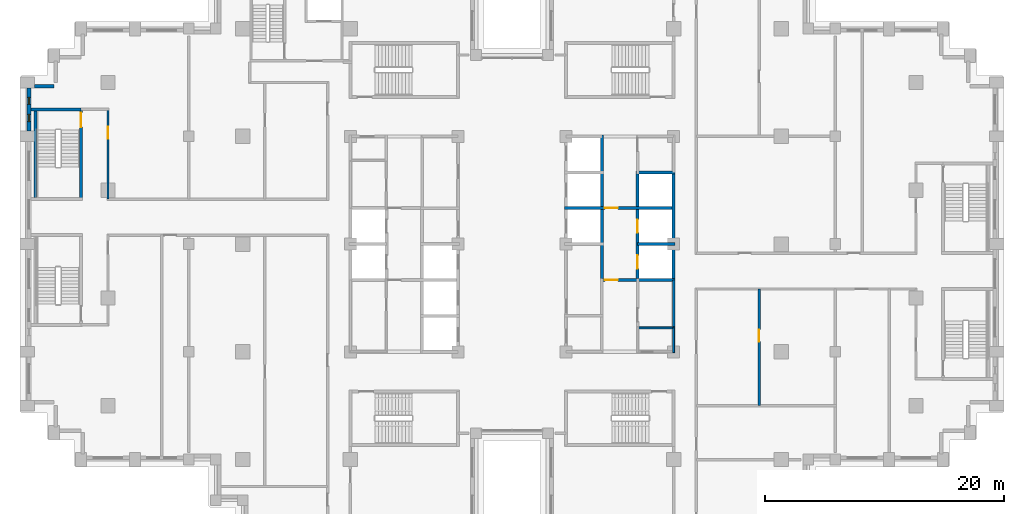
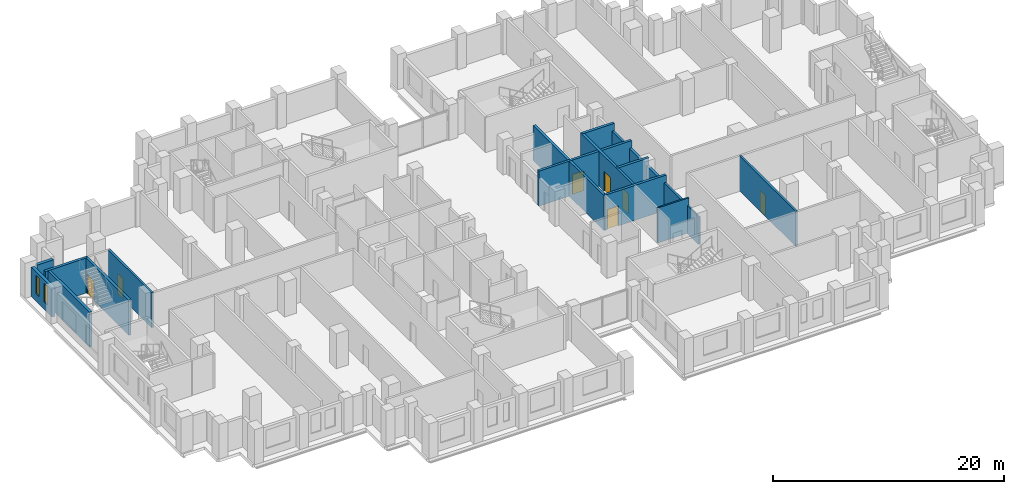
# One storey, part 9 of 16: 17 walls, 7 doors, 2 windows, 9 openings.
"""IFC4 building model written with IfcOpenShell, lengths in metres."""

from ifc_helpers import new_model, si_unit, direction, frame, frame_2d, origin, place, context, subcontext, project, spatial, rectangle, extrude, material, layer, layer_set, type_object, element, fill, save


model = new_model("IFC4")

# Units and contexts
model_context = context("Model", 3, precision=1e-05, world=origin(), true_north=direction((0.0, 1.0)))
body_context = subcontext(model_context, "Body", "Model", "MODEL_VIEW")
ifc_project = project(units=[si_unit("LENGTHUNIT", "METRE"), si_unit("AREAUNIT", "SQUARE_METRE"), si_unit("VOLUMEUNIT", "CUBIC_METRE"), si_unit("PLANEANGLEUNIT", "RADIAN"), si_unit("MASSUNIT", "GRAM", prefix="KILO")], contexts=[model_context])

# Site, building, storey
site_placement = place(None, origin())
site = spatial("IfcSite", under=ifc_project, at=site_placement, CompositionType="ELEMENT")
building_placement = place(site_placement, origin())
building = spatial("IfcBuilding", under=site, at=building_placement, Name="Corbelhall Arena Tower", CompositionType="ELEMENT")
storey_placement = place(building_placement, frame((0.0, 0.0, 108.0)))
storey = spatial("IfcBuildingStorey", under=building, at=storey_placement, Name="L19", CompositionType="ELEMENT", Elevation=108.0)

# Wall
ifc_material_1 = material(Name="Precast concrete C40/50 with granite facing", Category="masonry")
ifc_layer_1 = layer(ifc_material_1, 0.300048828125)
ifc_layer_set_1 = layer_set([ifc_layer_1], Name="EV-IW1 Infill panel 300")
wall_type_1 = type_object("IfcWallType", Name="EV-IW1 Infill panel 300", PredefinedType="SOLIDWALL", material=ifc_layer_set_1)
wall_1_placement = place(storey_placement, frame((-39.89990234375, 13.199951171875, 0.0), z_axis=(0.0, 0.0, 1.0), x_axis=(1.0, 0.0, 0.0)))
element("IfcWall", 1, at=wall_1_placement, inside=storey, type_object=wall_type_1, Name="Infill panel IW1", PredefinedType="SOLIDWALL", context=body_context, shape_type="SweptSolid", body=[
    extrude(rectangle(XDim=1.64990234375, YDim=0.300048828125, at=frame_2d((0.824951171875, 0.0))), origin(), (0.0, 0.0, 1.0), 3.10009765625),
])

# Wall, openings, windows
wall_2_placement = place(storey_placement, frame((-40.35009765625, 13.050048828125, 0.0), z_axis=(0.0, 0.0, 1.0), x_axis=(0.0, -1.0, 0.0)))
wall_2 = element("IfcWall", 2, at=wall_2_placement, inside=storey, type_object=wall_type_1, Name="Infill panel IW1", PredefinedType="SOLIDWALL", context=body_context, shape_type="SweptSolid", body=[
    extrude(rectangle(XDim=3.60009765625, YDim=0.300048828125, at=frame_2d((1.800048828125, 0.0))), origin(), (0.0, 0.0, 1.0), 3.10009765625),
])
opening_1_placement = place(wall_2_placement, frame((0.78759765625, 0.0, 0.800048828125)))
opening_1 = element("IfcOpeningElement", 3, at=opening_1_placement, cuts=wall_2, Name="Opening WN5", PredefinedType="OPENING", context=body_context, shape_type="SweptSolid", body=[
    extrude(rectangle(XDim=0.60009765625, YDim=1.949951171875, at=frame_2d((0.300048828125, 0.97509765625))), frame((0.0, 0.14990234375, 0.0), z_axis=(0.0, -1.0, 0.0), x_axis=(1.0, 0.0, 0.0)), (0.0, 0.0, 1.0), 0.300048828125),
])
opening_2_placement = place(wall_2_placement, frame((2.21240234375, 0.0, 0.800048828125)))
opening_2 = element("IfcOpeningElement", 4, at=opening_2_placement, cuts=wall_2, Name="Opening WN5", PredefinedType="OPENING", context=body_context, shape_type="SweptSolid", body=[
    extrude(rectangle(XDim=0.60009765625, YDim=1.949951171875, at=frame_2d((0.300048828125, 0.97509765625))), frame((0.0, 0.14990234375, 0.0), z_axis=(0.0, -1.0, 0.0), x_axis=(1.0, 0.0, 0.0)), (0.0, 0.0, 1.0), 0.300048828125),
])
ifc_material_2 = material(Name="Aluminium black anodised", Category="aluminium")
window_type = type_object("IfcWindowType", Name="EV-WN5 Office window 600", PartitioningType="SINGLE_PANEL", PredefinedType="WINDOW", material=ifc_material_2)
window_1_placement = place(opening_1_placement, origin())
window_1 = element("IfcWindow", 5, at=window_1_placement, inside=storey, type_object=window_type, Name="Window WN5", OverallHeight=1.949951171875, OverallWidth=0.60009765625, PartitioningType="SINGLE_PANEL", PredefinedType="WINDOW", context=body_context, shape_type="SweptSolid", body=[
    extrude(rectangle(XDim=0.60009765625, YDim=1.949951171875, at=frame_2d((0.300048828125, 0.97509765625))), frame((0.0, 0.030029296875, 0.0), z_axis=(0.0, -1.0, 0.0), x_axis=(1.0, 0.0, 0.0)), (0.0, 0.0, 1.0), 0.06005859375),
])
fill(opening_1, window_1)
window_2_placement = place(opening_2_placement, origin())
window_2 = element("IfcWindow", 6, at=window_2_placement, inside=storey, type_object=window_type, Name="Window WN5", OverallHeight=1.949951171875, OverallWidth=0.60009765625, PartitioningType="SINGLE_PANEL", PredefinedType="WINDOW", context=body_context, shape_type="SweptSolid", body=[
    extrude(rectangle(XDim=0.60009765625, YDim=1.949951171875, at=frame_2d((0.300048828125, 0.97509765625))), frame((0.0, 0.030029296875, 0.0), z_axis=(0.0, -1.0, 0.0), x_axis=(1.0, 0.0, 0.0)), (0.0, 0.0, 1.0), 0.06005859375),
])
fill(opening_2, window_2)

# Wall, opening, door
ifc_material_3 = material(Name="Gypsum board on steel stud, acoustic", Category="steel")
ifc_layer_2 = layer(ifc_material_3, 0.199951171875)
ifc_layer_set_2 = layer_set([ifc_layer_2], Name="IN-W-DM200")
wall_type_2 = type_object("IfcWallType", Name="IN-W-DM200", PredefinedType="PARTITIONING", material=ifc_layer_set_2)
wall_3_placement = place(storey_placement, frame((-33.75, 11.25, 0.0), z_axis=(0.0, 0.0, 1.0), x_axis=(0.0, -1.0, 0.0)))
wall_3 = element("IfcWall", 7, at=wall_3_placement, inside=storey, type_object=wall_type_2, Name="Partition 005", PredefinedType="PARTITIONING", context=body_context, shape_type="SweptSolid", body=[
    extrude(rectangle(XDim=7.5, YDim=0.199951171875, at=frame_2d((3.75, 0.0))), origin(), (0.0, 0.0, 1.0), 3.699951171875),
])
opening_3_placement = place(wall_3_placement, frame((1.449951171875, 0.0, 0.0)))
opening_3 = element("IfcOpeningElement", 8, at=opening_3_placement, cuts=wall_3, Name="Opening 04039", PredefinedType="OPENING", context=body_context, shape_type="SweptSolid", body=[
    extrude(rectangle(XDim=1.0, YDim=2.10009765625, at=frame_2d((0.5, 1.050048828125))), frame((0.0, 0.10009765625, 0.0), z_axis=(0.0, -1.0, 0.0), x_axis=(1.0, 0.0, 0.0)), (0.0, 0.0, 1.0), 0.199951171875),
])
ifc_material_4 = material(Name="Steel door set", Category="steel")
door_type_1 = type_object("IfcDoorType", Name="IN-D-SW100", OperationType="NOTDEFINED", PredefinedType="DOOR", material=ifc_material_4)
door_1_placement = place(opening_3_placement, origin())
door_1 = element("IfcDoor", 9, at=door_1_placement, inside=storey, type_object=door_type_1, Name="Door 039", OperationType="SINGLE_SWING_RIGHT", OverallHeight=2.10009765625, OverallWidth=1.0, PredefinedType="DOOR", context=body_context, shape_type="SweptSolid", body=[
    extrude(rectangle(XDim=1.0, YDim=2.10009765625, at=frame_2d((0.5, 1.050048828125))), frame((0.0, 0.02490234375, 0.0), z_axis=(0.0, -1.0, 0.0), x_axis=(1.0, 0.0, 0.0)), (0.0, 0.0, 1.0), 0.050048828125),
])
fill(opening_3, door_1)

wall_4_placement = place(storey_placement, frame((20.64990234375, -3.75, 0.0), z_axis=(0.0, 0.0, 1.0), x_axis=(0.0, -1.0, 0.0)))
wall_4 = element("IfcWall", 10, at=wall_4_placement, inside=storey, type_object=wall_type_2, Name="Partition 033", PredefinedType="PARTITIONING", context=body_context, shape_type="SweptSolid", body=[
    extrude(rectangle(XDim=9.75, YDim=0.199951171875, at=frame_2d((4.875, 0.0))), origin(), (0.0, 0.0, 1.0), 3.699951171875),
])
opening_4_placement = place(wall_4_placement, frame((3.39990234375, 0.0, 0.0)))
opening_4 = element("IfcOpeningElement", 11, at=opening_4_placement, cuts=wall_4, Name="Opening 04038", PredefinedType="OPENING", context=body_context, shape_type="SweptSolid", body=[
    extrude(rectangle(XDim=1.0, YDim=2.10009765625, at=frame_2d((0.5, 1.050048828125))), frame((0.0, 0.10009765625, 0.0), z_axis=(0.0, -1.0, 0.0), x_axis=(1.0, 0.0, 0.0)), (0.0, 0.0, 1.0), 0.199951171875),
])
door_2_placement = place(opening_4_placement, origin())
door_2 = element("IfcDoor", 12, at=door_2_placement, inside=storey, type_object=door_type_1, Name="Door 038", OperationType="SINGLE_SWING_LEFT", OverallHeight=2.10009765625, OverallWidth=1.0, PredefinedType="DOOR", context=body_context, shape_type="SweptSolid", body=[
    extrude(rectangle(XDim=1.0, YDim=2.10009765625, at=frame_2d((0.5, 1.050048828125))), frame((0.0, 0.02490234375, 0.0), z_axis=(0.0, -1.0, 0.0), x_axis=(1.0, 0.0, 0.0)), (0.0, 0.0, 1.0), 0.050048828125),
])
fill(opening_4, door_2)

# Wall
ifc_material_5 = material(Name="Concrete block wall", Category="concrete")
ifc_layer_3 = layer(ifc_material_5, 0.199951171875)
ifc_layer_set_3 = layer_set([ifc_layer_3], Name="IN-W-RS200 under beam 762 mm")
wall_type_3 = type_object("IfcWallType", Name="IN-W-RS200 under beam 762 mm", PredefinedType="SOLIDWALL", material=ifc_layer_set_3)
wall_5_placement = place(storey_placement, frame((13.5, -3.0, 0.0), z_axis=(0.0, 0.0, 1.0), x_axis=(0.0, -1.0, 0.0)))
element("IfcWall", 13, at=wall_5_placement, inside=storey, type_object=wall_type_3, Name="Partition 058", PredefinedType="SOLIDWALL", context=body_context, shape_type="SweptSolid", body=[
    extrude(rectangle(XDim=4.0, YDim=0.199951171875, at=frame_2d((2.0, 0.0))), origin(), (0.0, 0.0, 1.0), 2.93798828125),
])

# Wall, opening, door
ifc_material_6 = material(Name="Concrete C40/50", Category="concrete")
ifc_layer_4 = layer(ifc_material_6, 0.25)
ifc_layer_set_4 = layer_set([ifc_layer_4], Name="IN-W-SH250")
wall_type_4 = type_object("IfcWallType", Name="IN-W-SH250", PredefinedType="SOLIDWALL", material=ifc_layer_set_4)
wall_6_placement = place(storey_placement, frame((4.375, 3.0, 0.0), z_axis=(0.0, 0.0, 1.0), x_axis=(1.0, 0.0, 0.0)))
wall_6 = element("IfcWall", 14, at=wall_6_placement, inside=storey, type_object=wall_type_4, Name="Shaft wall 071", PredefinedType="SOLIDWALL", context=body_context, shape_type="SweptSolid", body=[
    extrude(rectangle(XDim=9.25, YDim=0.25, at=frame_2d((4.625, 0.0))), origin(), (0.0, 0.0, 1.0), 3.699951171875),
])
opening_5_placement = place(wall_6_placement, frame((3.375, 0.0, 0.0)))
opening_5 = element("IfcOpeningElement", 15, at=opening_5_placement, cuts=wall_6, Name="Opening 04011", PredefinedType="OPENING", context=body_context, shape_type="SweptSolid", body=[
    extrude(rectangle(XDim=1.10009765625, YDim=2.10009765625, at=frame_2d((0.550048828125, 1.050048828125))), frame((0.0, 0.125, 0.0), z_axis=(0.0, -1.0, 0.0), x_axis=(1.0, 0.0, 0.0)), (0.0, 0.0, 1.0), 0.25),
])
door_type_2 = type_object("IfcDoorType", Name="IN-D-FD110", OperationType="NOTDEFINED", PredefinedType="DOOR", material=ifc_material_4)
door_3_placement = place(opening_5_placement, origin())
door_3 = element("IfcDoor", 16, at=door_3_placement, inside=storey, type_object=door_type_2, Name="Door 011", OperationType="SINGLE_SWING_RIGHT", OverallHeight=2.10009765625, OverallWidth=1.10009765625, PredefinedType="DOOR", context=body_context, shape_type="SweptSolid", body=[
    extrude(rectangle(XDim=1.10009765625, YDim=2.10009765625, at=frame_2d((0.550048828125, 1.050048828125))), frame((0.0, 0.02490234375, 0.0), z_axis=(0.0, -1.0, 0.0), x_axis=(1.0, 0.0, 0.0)), (0.0, 0.0, 1.0), 0.050048828125),
])
fill(opening_5, door_3)

wall_7_placement = place(storey_placement, frame((7.5, -3.0, 0.0), z_axis=(0.0, 0.0, 1.0), x_axis=(1.0, 0.0, 0.0)))
wall_7 = element("IfcWall", 17, at=wall_7_placement, inside=storey, type_object=wall_type_4, Name="Shaft wall 075", PredefinedType="SOLIDWALL", context=body_context, shape_type="SweptSolid", body=[
    extrude(rectangle(XDim=6.125, YDim=0.25, at=frame_2d((3.0625, 0.0))), origin(), (0.0, 0.0, 1.0), 3.699951171875),
])
opening_6_placement = place(wall_7_placement, frame((0.25, 0.0, 0.0)))
opening_6 = element("IfcOpeningElement", 18, at=opening_6_placement, cuts=wall_7, Name="Opening 04010", PredefinedType="OPENING", context=body_context, shape_type="SweptSolid", body=[
    extrude(rectangle(XDim=1.10009765625, YDim=2.10009765625, at=frame_2d((0.550048828125, 1.050048828125))), frame((0.0, 0.125, 0.0), z_axis=(0.0, -1.0, 0.0), x_axis=(1.0, 0.0, 0.0)), (0.0, 0.0, 1.0), 0.25),
])
door_4_placement = place(opening_6_placement, origin())
door_4 = element("IfcDoor", 19, at=door_4_placement, inside=storey, type_object=door_type_2, Name="Door 010", OperationType="SINGLE_SWING_LEFT", OverallHeight=2.10009765625, OverallWidth=1.10009765625, PredefinedType="DOOR", context=body_context, shape_type="SweptSolid", body=[
    extrude(rectangle(XDim=1.10009765625, YDim=2.10009765625, at=frame_2d((0.550048828125, 1.050048828125))), frame((0.0, 0.02490234375, 0.0), z_axis=(0.0, -1.0, 0.0), x_axis=(1.0, 0.0, 0.0)), (0.0, 0.0, 1.0), 0.050048828125),
])
fill(opening_6, door_4)

# Walls
wall_8_placement = place(storey_placement, frame((7.5, 9.125, 0.0), z_axis=(0.0, 0.0, 1.0), x_axis=(0.0, -1.0, 0.0)))
element("IfcWall", 20, at=wall_8_placement, inside=storey, type_object=wall_type_4, Name="Shaft wall 076", PredefinedType="SOLIDWALL", context=body_context, shape_type="SweptSolid", body=[
    extrude(rectangle(XDim=12.25, YDim=0.25, at=frame_2d((6.125, 0.0))), origin(), (0.0, 0.0, 1.0), 3.699951171875),
])
wall_9_placement = place(storey_placement, frame((10.5, 0.0, 0.0), z_axis=(0.0, 0.0, 1.0), x_axis=(1.0, 0.0, 0.0)))
element("IfcWall", 21, at=wall_9_placement, inside=storey, type_object=wall_type_4, Name="Shaft wall 077", PredefinedType="SOLIDWALL", context=body_context, shape_type="SweptSolid", body=[
    extrude(rectangle(XDim=3.125, YDim=0.25, at=frame_2d((1.5625, 0.0))), origin(), (0.0, 0.0, 1.0), 3.699951171875),
])

# Wall, openings, doors
wall_10_placement = place(storey_placement, frame((10.5, 6.125, 0.0), z_axis=(0.0, 0.0, 1.0), x_axis=(0.0, -1.0, 0.0)))
wall_10 = element("IfcWall", 22, at=wall_10_placement, inside=storey, type_object=wall_type_4, Name="Shaft wall 078", PredefinedType="SOLIDWALL", context=body_context, shape_type="SweptSolid", body=[
    extrude(rectangle(XDim=9.25, YDim=0.25, at=frame_2d((4.625, 0.0))), origin(), (0.0, 0.0, 1.0), 3.699951171875),
])
opening_7_placement = place(wall_10_placement, frame((7.074951171875, 0.0, 0.0)))
opening_7 = element("IfcOpeningElement", 23, at=opening_7_placement, cuts=wall_10, Name="Opening LD", PredefinedType="OPENING", context=body_context, shape_type="SweptSolid", body=[
    extrude(rectangle(XDim=1.10009765625, YDim=2.10009765625, at=frame_2d((0.550048828125, 1.050048828125))), frame((0.0, 0.125, 0.0), z_axis=(0.0, -1.0, 0.0), x_axis=(1.0, 0.0, 0.0)), (0.0, 0.0, 1.0), 0.25),
])
opening_8_placement = place(wall_10_placement, frame((4.074951171875, 0.0, 0.0)))
opening_8 = element("IfcOpeningElement", 24, at=opening_8_placement, cuts=wall_10, Name="Opening LD", PredefinedType="OPENING", context=body_context, shape_type="SweptSolid", body=[
    extrude(rectangle(XDim=1.10009765625, YDim=2.10009765625, at=frame_2d((0.550048828125, 1.050048828125))), frame((0.0, 0.125, 0.0), z_axis=(0.0, -1.0, 0.0), x_axis=(1.0, 0.0, 0.0)), (0.0, 0.0, 1.0), 0.25),
])
door_type_3 = type_object("IfcDoorType", Name="IN-D-LD110", OperationType="NOTDEFINED", PredefinedType="DOOR", material=ifc_material_4)
door_5_placement = place(opening_7_placement, origin())
door_5 = element("IfcDoor", 25, at=door_5_placement, inside=storey, type_object=door_type_3, Name="Landing door E3", OperationType="SLIDING_TO_LEFT", OverallHeight=2.10009765625, OverallWidth=1.10009765625, PredefinedType="DOOR", context=body_context, shape_type="SweptSolid", body=[
    extrude(rectangle(XDim=1.10009765625, YDim=2.10009765625, at=frame_2d((0.550048828125, 1.050048828125))), frame((0.0, 0.02490234375, 0.0), z_axis=(0.0, -1.0, 0.0), x_axis=(1.0, 0.0, 0.0)), (0.0, 0.0, 1.0), 0.050048828125),
])
fill(opening_7, door_5)
door_6_placement = place(opening_8_placement, origin())
door_6 = element("IfcDoor", 26, at=door_6_placement, inside=storey, type_object=door_type_3, Name="Landing door E4", OperationType="SLIDING_TO_LEFT", OverallHeight=2.10009765625, OverallWidth=1.10009765625, PredefinedType="DOOR", context=body_context, shape_type="SweptSolid", body=[
    extrude(rectangle(XDim=1.10009765625, YDim=2.10009765625, at=frame_2d((0.550048828125, 1.050048828125))), frame((0.0, 0.02490234375, 0.0), z_axis=(0.0, -1.0, 0.0), x_axis=(1.0, 0.0, 0.0)), (0.0, 0.0, 1.0), 0.050048828125),
])
fill(opening_8, door_6)

# Walls
wall_11_placement = place(storey_placement, frame((10.5, 6.0, 0.0), z_axis=(0.0, 0.0, 1.0), x_axis=(1.0, 0.0, 0.0)))
element("IfcWall", 27, at=wall_11_placement, inside=storey, type_object=wall_type_4, Name="Shaft wall 079", PredefinedType="SOLIDWALL", context=body_context, shape_type="SweptSolid", body=[
    extrude(rectangle(XDim=3.125, YDim=0.25, at=frame_2d((1.5625, 0.0))), origin(), (0.0, 0.0, 1.0), 3.699951171875),
])
ifc_layer_5 = layer(ifc_material_6, 0.25)
ifc_layer_set_5 = layer_set([ifc_layer_5], Name="IN-W-SH250 under beam 762 mm")
wall_type_5 = type_object("IfcWallType", Name="IN-W-SH250 under beam 762 mm", PredefinedType="SOLIDWALL", material=ifc_layer_set_5)
wall_12_placement = place(storey_placement, frame((13.5, 6.0, 0.0), z_axis=(0.0, 0.0, 1.0), x_axis=(0.0, -1.0, 0.0)))
element("IfcWall", 28, at=wall_12_placement, inside=storey, type_object=wall_type_5, Name="Shaft wall 080", PredefinedType="SOLIDWALL", context=body_context, shape_type="SweptSolid", body=[
    extrude(rectangle(XDim=9.0, YDim=0.25, at=frame_2d((4.5, 0.0))), origin(), (0.0, 0.0, 1.0), 2.93798828125),
])
ifc_layer_6 = layer(ifc_material_6, 0.25)
ifc_layer_set_6 = layer_set([ifc_layer_6], Name="IN-W-ST250")
wall_type_6 = type_object("IfcWallType", Name="IN-W-ST250", PredefinedType="SOLIDWALL", material=ifc_layer_set_6)
wall_13_placement = place(storey_placement, frame((-40.199951171875, 11.25, 0.0), z_axis=(0.0, 0.0, 1.0), x_axis=(1.0, 0.0, 0.0)))
element("IfcWall", 29, at=wall_13_placement, inside=storey, type_object=wall_type_6, Name="Shaft wall 082", PredefinedType="SOLIDWALL", context=body_context, shape_type="SweptSolid", body=[
    extrude(rectangle(XDim=4.199951171875, YDim=0.25, at=frame_2d((2.10009765625, 0.0))), origin(), (0.0, 0.0, 1.0), 3.699951171875),
])

# Wall, opening, door
wall_14_placement = place(storey_placement, frame((-36.0, 11.375, 0.0), z_axis=(0.0, 0.0, 1.0), x_axis=(0.0, -1.0, 0.0)))
wall_14 = element("IfcWall", 30, at=wall_14_placement, inside=storey, type_object=wall_type_6, Name="Shaft wall 085", PredefinedType="SOLIDWALL", context=body_context, shape_type="SweptSolid", body=[
    extrude(rectangle(XDim=7.625, YDim=0.25, at=frame_2d((3.8125, 0.0))), origin(), (0.0, 0.0, 1.0), 3.699951171875),
])
opening_9_placement = place(wall_14_placement, frame((0.39990234375, 0.0, 0.0)))
opening_9 = element("IfcOpeningElement", 31, at=opening_9_placement, cuts=wall_14, Name="Opening 04019", PredefinedType="OPENING", context=body_context, shape_type="SweptSolid", body=[
    extrude(rectangle(XDim=1.199951171875, YDim=2.10009765625, at=frame_2d((0.60009765625, 1.050048828125))), frame((0.0, 0.125, 0.0), z_axis=(0.0, -1.0, 0.0), x_axis=(1.0, 0.0, 0.0)), (0.0, 0.0, 1.0), 0.25),
])
door_type_4 = type_object("IfcDoorType", Name="IN-D-ST120", OperationType="NOTDEFINED", PredefinedType="DOOR", material=ifc_material_4)
door_7_placement = place(opening_9_placement, origin())
door_7 = element("IfcDoor", 32, at=door_7_placement, inside=storey, type_object=door_type_4, Name="Door 019", OperationType="SINGLE_SWING_RIGHT", OverallHeight=2.10009765625, OverallWidth=1.199951171875, PredefinedType="DOOR", context=body_context, shape_type="SweptSolid", body=[
    extrude(rectangle(XDim=1.199951171875, YDim=2.10009765625, at=frame_2d((0.60009765625, 1.050048828125))), frame((0.0, 0.02490234375, 0.0), z_axis=(0.0, -1.0, 0.0), x_axis=(1.0, 0.0, 0.0)), (0.0, 0.0, 1.0), 0.050048828125),
])
fill(opening_9, door_7)

# Walls
wall_15_placement = place(storey_placement, frame((-39.824951171875, 3.875, 0.0), z_axis=(0.0, 0.0, 1.0), x_axis=(0.0, 1.0, 0.0)))
element("IfcWall", 33, at=wall_15_placement, inside=storey, type_object=wall_type_6, Name="Shaft wall SC1 facade side", PredefinedType="SOLIDWALL", context=body_context, shape_type="SweptSolid", body=[
    extrude(rectangle(XDim=7.25, YDim=0.25, at=frame_2d((3.625, 0.0))), origin(), (0.0, 0.0, 1.0), 3.699951171875),
])
ifc_material_7 = material(Name="Gypsum board on steel stud, moisture resistant", Category="steel")
ifc_layer_7 = layer(ifc_material_7, 0.14990234375)
ifc_layer_set_7 = layer_set([ifc_layer_7], Name="IN-W-WC150")
wall_type_7 = type_object("IfcWallType", Name="IN-W-WC150", PredefinedType="PARTITIONING", material=ifc_layer_set_7)
wall_16_placement = place(storey_placement, frame((10.5, -7.0, 0.0), z_axis=(0.0, 0.0, 1.0), x_axis=(1.0, 0.0, 0.0)))
element("IfcWall", 34, at=wall_16_placement, inside=storey, type_object=wall_type_7, Name="Partition 115", PredefinedType="PARTITIONING", context=body_context, shape_type="SweptSolid", body=[
    extrude(rectangle(XDim=3.10009765625, YDim=0.14990234375, at=frame_2d((1.550048828125, 0.0))), origin(), (0.0, 0.0, 1.0), 3.699951171875),
])
ifc_layer_8 = layer(ifc_material_7, 0.14990234375)
ifc_layer_set_8 = layer_set([ifc_layer_8], Name="IN-W-WC150 under beam 762 mm")
wall_type_8 = type_object("IfcWallType", Name="IN-W-WC150 under beam 762 mm", PredefinedType="PARTITIONING", material=ifc_layer_set_8)
wall_17_placement = place(storey_placement, frame((13.5, -7.0, 0.0), z_axis=(0.0, 0.0, 1.0), x_axis=(0.0, -1.0, 0.0)))
element("IfcWall", 35, at=wall_17_placement, inside=storey, type_object=wall_type_8, Name="Partition 118", PredefinedType="PARTITIONING", context=body_context, shape_type="SweptSolid", body=[
    extrude(rectangle(XDim=2.074951171875, YDim=0.14990234375, at=frame_2d((1.03759765625, 0.0))), origin(), (0.0, 0.0, 1.0), 2.93798828125),
])

save(model, "model.ifc")
